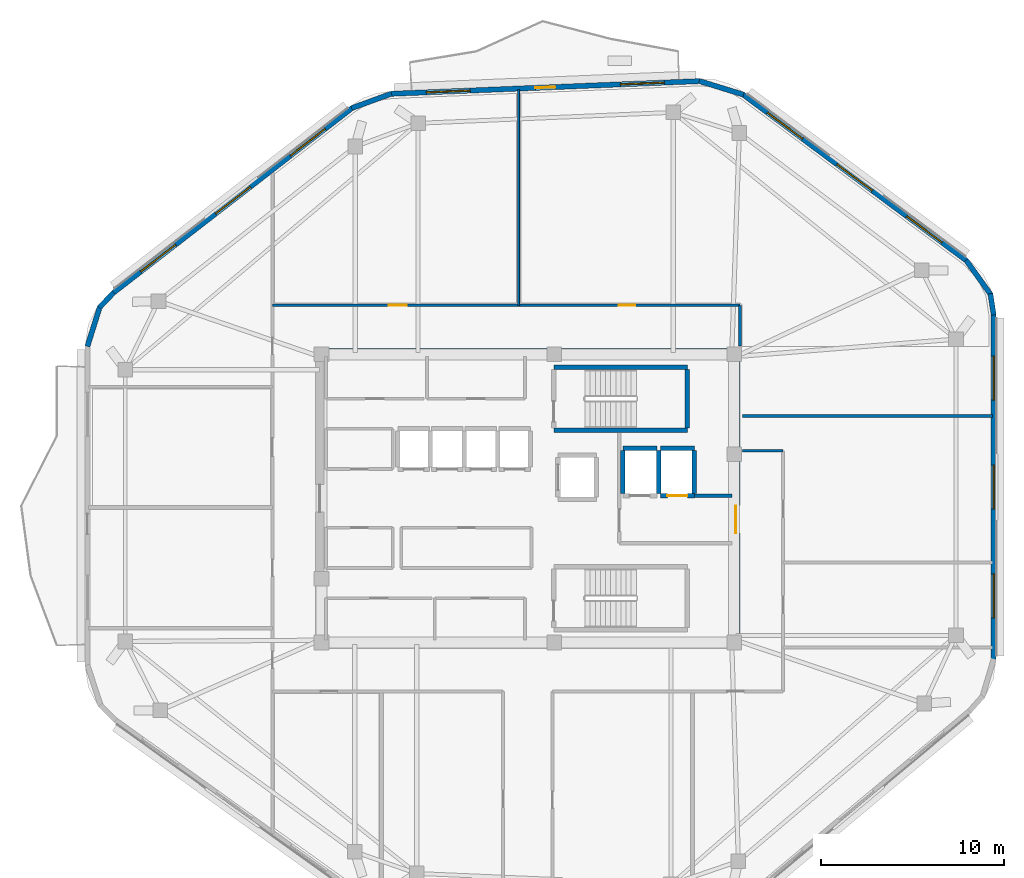
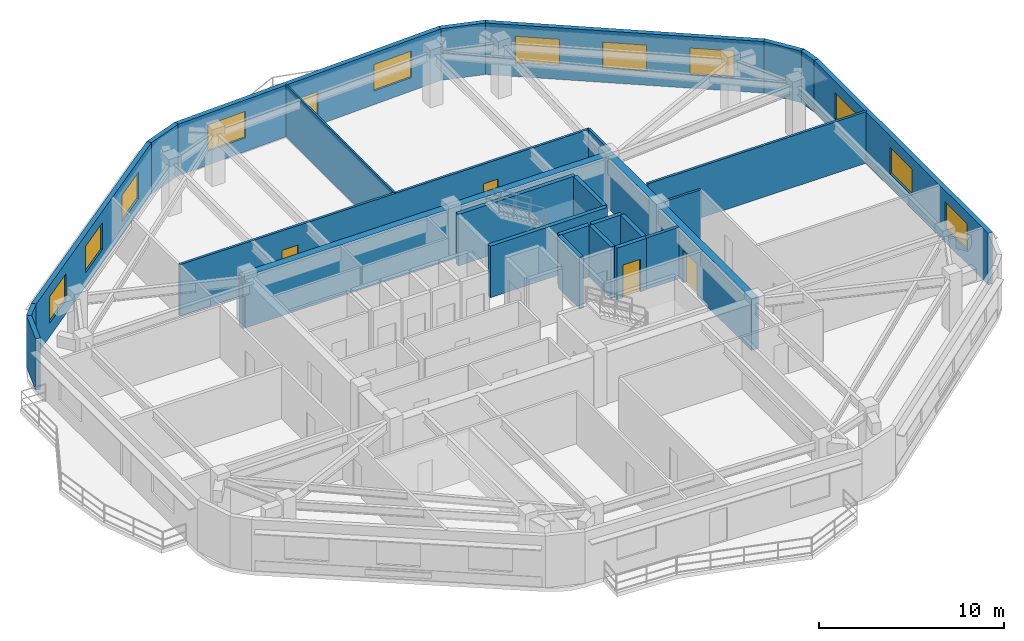
# One storey, part 5 of 9: 27 walls, 11 windows, 5 doors, 16 openings.
"""IFC4 building model written with IfcOpenShell, lengths in metres."""

from ifc_helpers import new_model, si_unit, direction, frame, frame_2d, origin, place, context, subcontext, project, spatial, rectangle, extrude, material, layer, layer_set, type_object, element, fill, save


model = new_model("IFC4")

# Units and contexts
model_context = context("Model", 3, precision=1e-05, world=origin(), true_north=direction((0.0, 1.0)))
body_context = subcontext(model_context, "Body", "Model", "MODEL_VIEW")
ifc_project = project(units=[si_unit("LENGTHUNIT", "METRE"), si_unit("AREAUNIT", "SQUARE_METRE"), si_unit("VOLUMEUNIT", "CUBIC_METRE"), si_unit("PLANEANGLEUNIT", "RADIAN"), si_unit("MASSUNIT", "GRAM", prefix="KILO")], contexts=[model_context])

# Site, building, storey
site_placement = place(None, origin())
site = spatial("IfcSite", under=ifc_project, at=site_placement, CompositionType="ELEMENT")
building_placement = place(site_placement, origin())
building = spatial("IfcBuilding", under=site, at=building_placement, Name="Zulverin Broadcast Headquarters", CompositionType="ELEMENT")
storey_placement = place(building_placement, frame((0.0, 0.0, 304.800048828125)))
storey = spatial("IfcBuildingStorey", under=building, at=storey_placement, Name="L78", CompositionType="ELEMENT", Elevation=304.800048828125)

# Wall
ifc_material_1 = material(Name="Concrete C50/60", Category="concrete")
ifc_layer_1 = layer(ifc_material_1, 0.449951171875, Name="Concrete C50/60", Category="concrete")
ifc_layer_set_1 = layer_set([ifc_layer_1], Name="Concrete C50/60")
wall_type_1 = type_object("IfcWallType", Name="WL-CORE-450", PredefinedType="SHEAR", material=ifc_layer_set_1)
wall_1_placement = place(storey_placement, frame((25.39990234375, 33.175048828125, 0.0), z_axis=(0.0, 0.0, 1.0), x_axis=(1.0, 0.0, 0.0)))
element("IfcWall", 1, at=wall_1_placement, inside=storey, type_object=wall_type_1, Name="L78 Core North Shear Wall", PredefinedType="SHEAR", context=body_context, shape_type="SweptSolid", body=[
    extrude(rectangle(XDim=23.2001953125, YDim=0.449951171875, at=frame_2d((11.60009765625, 0.0))), origin(), (0.0, 0.0, 1.0), 3.39990234375),
])

# Wall, opening, door
wall_2_placement = place(storey_placement, frame((48.375, 17.449951171875, 0.0), z_axis=(0.0, 0.0, 1.0), x_axis=(0.0, 1.0, 0.0)))
wall_2 = element("IfcWall", 2, at=wall_2_placement, inside=storey, type_object=wall_type_1, Name="L78 Core East Shear Wall", PredefinedType="SHEAR", context=body_context, shape_type="SweptSolid", body=[
    extrude(rectangle(XDim=15.5, YDim=0.449951171875, at=frame_2d((7.75, 0.0))), origin(), (0.0, 0.0, 1.0), 3.39990234375),
])
opening_1_placement = place(wall_2_placement, frame((5.85009765625, 0.0, 0.0)))
opening_1 = element("IfcOpeningElement", 3, at=opening_1_placement, cuts=wall_2, Name="Opening D-L78-CE1", PredefinedType="OPENING", context=body_context, shape_type="SweptSolid", body=[
    extrude(rectangle(XDim=1.5, YDim=2.14990234375, at=frame_2d((0.75, 1.074951171875))), frame((0.0, 0.23486328125, 0.0), z_axis=(0.0, -1.0, 0.0), x_axis=(1.0, 0.0, 0.0)), (0.0, 0.0, 1.0), 0.469970703125),
])
ifc_material_2 = material(Name="Fire-rated glazed steel frame", Category="steel")
door_type_1 = type_object("IfcDoorType", Name="DR-COR-1500", OperationType="DOUBLE_DOOR_SINGLE_SWING", PredefinedType="DOOR", material=ifc_material_2)
door_1_placement = place(opening_1_placement, origin())
door_1 = element("IfcDoor", 4, at=door_1_placement, inside=storey, type_object=door_type_1, Name="L78 Firefighting Lobby East Corridor Door", OperationType="DOUBLE_DOOR_SINGLE_SWING", OverallHeight=2.14990234375, OverallWidth=1.5, PredefinedType="DOOR", context=body_context, shape_type="SweptSolid", body=[
    extrude(rectangle(XDim=1.5, YDim=2.14990234375, at=frame_2d((0.75, 1.074951171875))), frame((0.0, 0.02490234375, 0.0), z_axis=(0.0, -1.0, 0.0), x_axis=(1.0, 0.0, 0.0)), (0.0, 0.0, 1.0), 0.050048828125),
])
fill(opening_1, door_1)

# Wall, openings, windows
ifc_material_3 = material(Name="Insulated pale-metal clad concrete spandrel C40/50", Category="concrete")
ifc_layer_2 = layer(ifc_material_3, 0.280029296875, Name="Insulated pale-metal clad concrete spandrel C40/50", Category="concrete")
ifc_layer_set_2 = layer_set([ifc_layer_2], Name="Insulated pale-metal clad concrete spandrel C40/50")
wall_type_2 = type_object("IfcWallType", Name="WL-EXT-280", PredefinedType="STANDARD", material=ifc_layer_set_2)
wall_3_placement = place(storey_placement, frame((62.4599609375, 16.3955078125, 0.0), z_axis=(0.0, 0.0, 1.0), x_axis=(0.0, 1.0, 0.0)))
wall_3 = element("IfcWall", 5, at=wall_3_placement, inside=storey, type_object=wall_type_2, Name="L78 Pale-Metal Clad Spandrel Wall 3", PredefinedType="STANDARD", context=body_context, shape_type="SweptSolid", body=[
    extrude(rectangle(XDim=18.8544921875, YDim=0.280029296875, at=frame_2d((9.42724609375, 0.0))), origin(), (0.0, 0.0, 1.0), 3.39990234375),
])
opening_2_placement = place(wall_3_placement, frame((2.27587890625, 0.0, 0.89990234375)))
opening_2 = element("IfcOpeningElement", 6, at=opening_2_placement, cuts=wall_3, Name="Opening W-L78-E31", PredefinedType="OPENING", context=body_context, shape_type="SweptSolid", body=[
    extrude(rectangle(XDim=2.39990234375, YDim=1.75, at=frame_2d((1.199951171875, 0.875))), frame((0.0, 0.14990234375, 0.0), z_axis=(0.0, -1.0, 0.0), x_axis=(1.0, 0.0, 0.0)), (0.0, 0.0, 1.0), 0.300048828125),
])
opening_3_placement = place(wall_3_placement, frame((8.227294921875, 0.0, 0.89990234375)))
opening_3 = element("IfcOpeningElement", 7, at=opening_3_placement, cuts=wall_3, Name="Opening W-L78-E32", PredefinedType="OPENING", context=body_context, shape_type="SweptSolid", body=[
    extrude(rectangle(XDim=2.39990234375, YDim=1.75, at=frame_2d((1.199951171875, 0.875))), frame((0.0, 0.14990234375, 0.0), z_axis=(0.0, -1.0, 0.0), x_axis=(1.0, 0.0, 0.0)), (0.0, 0.0, 1.0), 0.300048828125),
])
opening_4_placement = place(wall_3_placement, frame((14.1787109375, 0.0, 0.89990234375)))
opening_4 = element("IfcOpeningElement", 8, at=opening_4_placement, cuts=wall_3, Name="Opening W-L78-E33", PredefinedType="OPENING", context=body_context, shape_type="SweptSolid", body=[
    extrude(rectangle(XDim=2.39990234375, YDim=1.75, at=frame_2d((1.199951171875, 0.875))), frame((0.0, 0.14990234375, 0.0), z_axis=(0.0, -1.0, 0.0), x_axis=(1.0, 0.0, 0.0)), (0.0, 0.0, 1.0), 0.300048828125),
])
ifc_material_4 = material(Name="Pale anodized aluminium frame with solar-control low-E double glazing", Category="aluminium")
window_type = type_object("IfcWindowType", Name="WIN-RIB-2400", PartitioningType="SINGLE_PANEL", PredefinedType="WINDOW", material=ifc_material_4)
window_1_placement = place(opening_2_placement, origin())
window_1 = element("IfcWindow", 9, at=window_1_placement, inside=storey, type_object=window_type, Name="L78 Ribbon Glazing Window 3 1", OverallHeight=1.75, OverallWidth=2.39990234375, PartitioningType="SINGLE_PANEL", PredefinedType="WINDOW", context=body_context, shape_type="SweptSolid", body=[
    extrude(rectangle(XDim=2.39990234375, YDim=1.75, at=frame_2d((1.199951171875, 0.875))), frame((0.0, 0.030029296875, 0.0), z_axis=(0.0, -1.0, 0.0), x_axis=(1.0, 0.0, 0.0)), (0.0, 0.0, 1.0), 0.06005859375),
])
fill(opening_2, window_1)
window_2_placement = place(opening_3_placement, origin())
window_2 = element("IfcWindow", 10, at=window_2_placement, inside=storey, type_object=window_type, Name="L78 Ribbon Glazing Window 3 2", OverallHeight=1.75, OverallWidth=2.39990234375, PartitioningType="SINGLE_PANEL", PredefinedType="WINDOW", context=body_context, shape_type="SweptSolid", body=[
    extrude(rectangle(XDim=2.39990234375, YDim=1.75, at=frame_2d((1.199951171875, 0.875))), frame((0.0, 0.030029296875, 0.0), z_axis=(0.0, -1.0, 0.0), x_axis=(1.0, 0.0, 0.0)), (0.0, 0.0, 1.0), 0.06005859375),
])
fill(opening_3, window_2)
window_3_placement = place(opening_4_placement, origin())
window_3 = element("IfcWindow", 11, at=window_3_placement, inside=storey, type_object=window_type, Name="L78 Ribbon Glazing Window 3 3", OverallHeight=1.75, OverallWidth=2.39990234375, PartitioningType="SINGLE_PANEL", PredefinedType="WINDOW", context=body_context, shape_type="SweptSolid", body=[
    extrude(rectangle(XDim=2.39990234375, YDim=1.75, at=frame_2d((1.199951171875, 0.875))), frame((0.0, 0.030029296875, 0.0), z_axis=(0.0, -1.0, 0.0), x_axis=(1.0, 0.0, 0.0)), (0.0, 0.0, 1.0), 0.06005859375),
])
fill(opening_4, window_3)

wall_4_placement = place(storey_placement, frame((60.98388671875, 38.187255859375, 0.0), z_axis=(0.0, 0.0, 1.0), x_axis=(-0.802485144343, 0.596672098484, 0.0)))
wall_4 = element("IfcWall", 12, at=wall_4_placement, inside=storey, type_object=wall_type_2, Name="L78 Pale-Metal Clad Spandrel Wall 4", PredefinedType="STANDARD", context=body_context, shape_type="SweptSolid", body=[
    extrude(rectangle(XDim=15.247802734375, YDim=0.280029296875, at=frame_2d((7.6240234375, 0.0))), origin(), (0.0, 0.0, 1.0), 3.39990234375),
])
opening_5_placement = place(wall_4_placement, frame((1.674560546875, 0.0, 0.89990234375)))
opening_5 = element("IfcOpeningElement", 13, at=opening_5_placement, cuts=wall_4, Name="Opening W-L78-E41", PredefinedType="OPENING", context=body_context, shape_type="SweptSolid", body=[
    extrude(rectangle(XDim=2.39990234375, YDim=1.75, at=frame_2d((1.199951171875, 0.875))), frame((0.0, 0.14990234375, 0.0), z_axis=(0.0, -1.0, 0.0), x_axis=(1.0, 0.0, 0.0)), (0.0, 0.0, 1.0), 0.300048828125),
])
opening_6_placement = place(wall_4_placement, frame((6.423828125, 0.0, 0.89990234375)))
opening_6 = element("IfcOpeningElement", 14, at=opening_6_placement, cuts=wall_4, Name="Opening W-L78-E42", PredefinedType="OPENING", context=body_context, shape_type="SweptSolid", body=[
    extrude(rectangle(XDim=2.39990234375, YDim=1.75, at=frame_2d((1.199951171875, 0.875))), frame((0.0, 0.14990234375, 0.0), z_axis=(0.0, -1.0, 0.0), x_axis=(1.0, 0.0, 0.0)), (0.0, 0.0, 1.0), 0.300048828125),
])
opening_7_placement = place(wall_4_placement, frame((11.173095703125, 0.0, 0.89990234375)))
opening_7 = element("IfcOpeningElement", 15, at=opening_7_placement, cuts=wall_4, Name="Opening W-L78-E43", PredefinedType="OPENING", context=body_context, shape_type="SweptSolid", body=[
    extrude(rectangle(XDim=2.39990234375, YDim=1.75, at=frame_2d((1.199951171875, 0.875))), frame((0.0, 0.14990234375, 0.0), z_axis=(0.0, -1.0, 0.0), x_axis=(1.0, 0.0, 0.0)), (0.0, 0.0, 1.0), 0.300048828125),
])
window_4_placement = place(opening_5_placement, origin())
window_4 = element("IfcWindow", 16, at=window_4_placement, inside=storey, type_object=window_type, Name="L78 Ribbon Glazing Window 4 1", OverallHeight=1.75, OverallWidth=2.39990234375, PartitioningType="SINGLE_PANEL", PredefinedType="WINDOW", context=body_context, shape_type="SweptSolid", body=[
    extrude(rectangle(XDim=2.39990234375, YDim=1.75, at=frame_2d((1.199951171875, 0.875))), frame((0.0, 0.030029296875, 0.0), z_axis=(0.0, -1.0, 0.0), x_axis=(1.0, 0.0, 0.0)), (0.0, 0.0, 1.0), 0.06005859375),
])
fill(opening_5, window_4)
window_5_placement = place(opening_6_placement, origin())
window_5 = element("IfcWindow", 17, at=window_5_placement, inside=storey, type_object=window_type, Name="L78 Ribbon Glazing Window 4 2", OverallHeight=1.75, OverallWidth=2.39990234375, PartitioningType="SINGLE_PANEL", PredefinedType="WINDOW", context=body_context, shape_type="SweptSolid", body=[
    extrude(rectangle(XDim=2.39990234375, YDim=1.75, at=frame_2d((1.199951171875, 0.875))), frame((0.0, 0.030029296875, 0.0), z_axis=(0.0, -1.0, 0.0), x_axis=(1.0, 0.0, 0.0)), (0.0, 0.0, 1.0), 0.06005859375),
])
fill(opening_6, window_5)
window_6_placement = place(opening_7_placement, origin())
window_6 = element("IfcWindow", 18, at=window_6_placement, inside=storey, type_object=window_type, Name="L78 Ribbon Glazing Window 4 3", OverallHeight=1.75, OverallWidth=2.39990234375, PartitioningType="SINGLE_PANEL", PredefinedType="WINDOW", context=body_context, shape_type="SweptSolid", body=[
    extrude(rectangle(XDim=2.39990234375, YDim=1.75, at=frame_2d((1.199951171875, 0.875))), frame((0.0, 0.030029296875, 0.0), z_axis=(0.0, -1.0, 0.0), x_axis=(1.0, 0.0, 0.0)), (0.0, 0.0, 1.0), 0.06005859375),
])
fill(opening_7, window_6)

# Wall, openings, door, windows
wall_5_placement = place(storey_placement, frame((46.413818359375, 48.0048828125, 0.0), z_axis=(0.0, 0.0, 1.0), x_axis=(-0.999156194126, -0.041071885021, 0.0)))
wall_5 = element("IfcWall", 19, at=wall_5_placement, inside=storey, type_object=wall_type_2, Name="L78 Pale-Metal Clad Spandrel Wall 5", PredefinedType="STANDARD", context=body_context, shape_type="SweptSolid", body=[
    extrude(rectangle(XDim=16.923095703125, YDim=0.280029296875, at=frame_2d((8.46142578125, 0.0))), origin(), (0.0, 0.0, 1.0), 3.39990234375),
])
opening_8_placement = place(wall_5_placement, frame((7.91162109375, 0.0, 0.0)))
opening_8 = element("IfcOpeningElement", 20, at=opening_8_placement, cuts=wall_5, Name="Opening D-L78-TR5", PredefinedType="OPENING", context=body_context, shape_type="SweptSolid", body=[
    extrude(rectangle(XDim=1.10009765625, YDim=2.199951171875, at=frame_2d((0.550048828125, 1.10009765625))), frame((0.0, 0.14990234375, 0.0), z_axis=(0.0, -1.0, 0.0), x_axis=(1.0, 0.0, 0.0)), (0.0, 0.0, 1.0), 0.300048828125),
])
opening_9_placement = place(wall_5_placement, frame((1.953857421875, 0.0, 0.89990234375)))
opening_9 = element("IfcOpeningElement", 21, at=opening_9_placement, cuts=wall_5, Name="Opening W-L78-E51", PredefinedType="OPENING", context=body_context, shape_type="SweptSolid", body=[
    extrude(rectangle(XDim=2.39990234375, YDim=1.75, at=frame_2d((1.199951171875, 0.875))), frame((0.0, 0.14990234375, 0.0), z_axis=(0.0, -1.0, 0.0), x_axis=(1.0, 0.0, 0.0)), (0.0, 0.0, 1.0), 0.300048828125),
])
opening_10_placement = place(wall_5_placement, frame((12.569091796875, 0.0, 0.89990234375)))
opening_10 = element("IfcOpeningElement", 22, at=opening_10_placement, cuts=wall_5, Name="Opening W-L78-E52", PredefinedType="OPENING", context=body_context, shape_type="SweptSolid", body=[
    extrude(rectangle(XDim=2.39990234375, YDim=1.75, at=frame_2d((1.199951171875, 0.875))), frame((0.0, 0.14990234375, 0.0), z_axis=(0.0, -1.0, 0.0), x_axis=(1.0, 0.0, 0.0)), (0.0, 0.0, 1.0), 0.300048828125),
])
ifc_material_5 = material(Name="Thermally broken aluminium glazed", Category="aluminium")
door_type_2 = type_object("IfcDoorType", Name="DR-TERR-1100", OperationType="SINGLE_SWING_RIGHT", PredefinedType="DOOR", material=ifc_material_5)
door_2_placement = place(opening_8_placement, origin())
door_2 = element("IfcDoor", 23, at=door_2_placement, inside=storey, type_object=door_type_2, Name="L78 Planted Terrace Glazed Access Door 5", OperationType="SINGLE_SWING_RIGHT", OverallHeight=2.199951171875, OverallWidth=1.10009765625, PredefinedType="DOOR", context=body_context, shape_type="SweptSolid", body=[
    extrude(rectangle(XDim=1.10009765625, YDim=2.199951171875, at=frame_2d((0.550048828125, 1.10009765625))), frame((0.0, 0.02490234375, 0.0), z_axis=(0.0, -1.0, 0.0), x_axis=(1.0, 0.0, 0.0)), (0.0, 0.0, 1.0), 0.050048828125),
])
fill(opening_8, door_2)
window_7_placement = place(opening_9_placement, origin())
window_7 = element("IfcWindow", 24, at=window_7_placement, inside=storey, type_object=window_type, Name="L78 Ribbon Glazing Window 5 1", OverallHeight=1.75, OverallWidth=2.39990234375, PartitioningType="SINGLE_PANEL", PredefinedType="WINDOW", context=body_context, shape_type="SweptSolid", body=[
    extrude(rectangle(XDim=2.39990234375, YDim=1.75, at=frame_2d((1.199951171875, 0.875))), frame((0.0, 0.030029296875, 0.0), z_axis=(0.0, -1.0, 0.0), x_axis=(1.0, 0.0, 0.0)), (0.0, 0.0, 1.0), 0.06005859375),
])
fill(opening_9, window_7)
window_8_placement = place(opening_10_placement, origin())
window_8 = element("IfcWindow", 25, at=window_8_placement, inside=storey, type_object=window_type, Name="L78 Ribbon Glazing Window 5 2", OverallHeight=1.75, OverallWidth=2.39990234375, PartitioningType="SINGLE_PANEL", PredefinedType="WINDOW", context=body_context, shape_type="SweptSolid", body=[
    extrude(rectangle(XDim=2.39990234375, YDim=1.75, at=frame_2d((1.199951171875, 0.875))), frame((0.0, 0.030029296875, 0.0), z_axis=(0.0, -1.0, 0.0), x_axis=(1.0, 0.0, 0.0)), (0.0, 0.0, 1.0), 0.06005859375),
])
fill(opening_10, window_8)

# Wall, openings, windows
wall_6_placement = place(storey_placement, frame((27.4150390625, 46.54736328125, 0.0), z_axis=(0.0, 0.0, 1.0), x_axis=(-0.790789745248, -0.612087884875, 0.0)))
wall_6 = element("IfcWall", 26, at=wall_6_placement, inside=storey, type_object=wall_type_2, Name="L78 Pale-Metal Clad Spandrel Wall 6", PredefinedType="STANDARD", context=body_context, shape_type="SweptSolid", body=[
    extrude(rectangle(XDim=16.509033203125, YDim=0.280029296875, at=frame_2d((8.25439453125, 0.0))), origin(), (0.0, 0.0, 1.0), 3.39990234375),
])
opening_11_placement = place(wall_6_placement, frame((1.885009765625, 0.0, 0.89990234375)))
opening_11 = element("IfcOpeningElement", 27, at=opening_11_placement, cuts=wall_6, Name="Opening W-L78-E61", PredefinedType="OPENING", context=body_context, shape_type="SweptSolid", body=[
    extrude(rectangle(XDim=2.39990234375, YDim=1.75, at=frame_2d((1.199951171875, 0.875))), frame((0.0, 0.14990234375, 0.0), z_axis=(0.0, -1.0, 0.0), x_axis=(1.0, 0.0, 0.0)), (0.0, 0.0, 1.0), 0.300048828125),
])
opening_12_placement = place(wall_6_placement, frame((7.0546875, 0.0, 0.89990234375)))
opening_12 = element("IfcOpeningElement", 28, at=opening_12_placement, cuts=wall_6, Name="Opening W-L78-E62", PredefinedType="OPENING", context=body_context, shape_type="SweptSolid", body=[
    extrude(rectangle(XDim=2.39990234375, YDim=1.75, at=frame_2d((1.199951171875, 0.875))), frame((0.0, 0.14990234375, 0.0), z_axis=(0.0, -1.0, 0.0), x_axis=(1.0, 0.0, 0.0)), (0.0, 0.0, 1.0), 0.300048828125),
])
opening_13_placement = place(wall_6_placement, frame((12.224365234375, 0.0, 0.89990234375)))
opening_13 = element("IfcOpeningElement", 29, at=opening_13_placement, cuts=wall_6, Name="Opening W-L78-E63", PredefinedType="OPENING", context=body_context, shape_type="SweptSolid", body=[
    extrude(rectangle(XDim=2.39990234375, YDim=1.75, at=frame_2d((1.199951171875, 0.875))), frame((0.0, 0.14990234375, 0.0), z_axis=(0.0, -1.0, 0.0), x_axis=(1.0, 0.0, 0.0)), (0.0, 0.0, 1.0), 0.300048828125),
])
window_9_placement = place(opening_11_placement, origin())
window_9 = element("IfcWindow", 30, at=window_9_placement, inside=storey, type_object=window_type, Name="L78 Ribbon Glazing Window 6 1", OverallHeight=1.75, OverallWidth=2.39990234375, PartitioningType="SINGLE_PANEL", PredefinedType="WINDOW", context=body_context, shape_type="SweptSolid", body=[
    extrude(rectangle(XDim=2.39990234375, YDim=1.75, at=frame_2d((1.199951171875, 0.875))), frame((0.0, 0.030029296875, 0.0), z_axis=(0.0, -1.0, 0.0), x_axis=(1.0, 0.0, 0.0)), (0.0, 0.0, 1.0), 0.06005859375),
])
fill(opening_11, window_9)
window_10_placement = place(opening_12_placement, origin())
window_10 = element("IfcWindow", 31, at=window_10_placement, inside=storey, type_object=window_type, Name="L78 Ribbon Glazing Window 6 2", OverallHeight=1.75, OverallWidth=2.39990234375, PartitioningType="SINGLE_PANEL", PredefinedType="WINDOW", context=body_context, shape_type="SweptSolid", body=[
    extrude(rectangle(XDim=2.39990234375, YDim=1.75, at=frame_2d((1.199951171875, 0.875))), frame((0.0, 0.030029296875, 0.0), z_axis=(0.0, -1.0, 0.0), x_axis=(1.0, 0.0, 0.0)), (0.0, 0.0, 1.0), 0.06005859375),
])
fill(opening_12, window_10)
window_11_placement = place(opening_13_placement, origin())
window_11 = element("IfcWindow", 32, at=window_11_placement, inside=storey, type_object=window_type, Name="L78 Ribbon Glazing Window 6 3", OverallHeight=1.75, OverallWidth=2.39990234375, PartitioningType="SINGLE_PANEL", PredefinedType="WINDOW", context=body_context, shape_type="SweptSolid", body=[
    extrude(rectangle(XDim=2.39990234375, YDim=1.75, at=frame_2d((1.199951171875, 0.875))), frame((0.0, 0.030029296875, 0.0), z_axis=(0.0, -1.0, 0.0), x_axis=(1.0, 0.0, 0.0)), (0.0, 0.0, 1.0), 0.06005859375),
])
fill(opening_13, window_11)

# Walls
wall_7_placement = place(storey_placement, frame((62.461669921875, 35.228515625, 0.0), z_axis=(0.0, 0.0, 1.0), x_axis=(-0.15458604025, 0.987979329824, 0.0)))
element("IfcWall", 33, at=wall_7_placement, inside=storey, type_object=wall_type_2, Name="L78 Wind-Shaped Corner Spandrel Wall 3-1", PredefinedType="STANDARD", context=body_context, shape_type="SweptSolid", body=[
    extrude(rectangle(XDim=1.175048828125, YDim=0.280029296875, at=frame_2d((0.58740234375, 0.0))), origin(), (0.0, 0.0, 1.0), 3.39990234375),
])
wall_8_placement = place(storey_placement, frame((62.304443359375, 36.32958984375, 0.0), z_axis=(0.0, 0.0, 1.0), x_axis=(-0.581795068472, 0.81333541562, 0.0)))
element("IfcWall", 34, at=wall_8_placement, inside=storey, type_object=wall_type_2, Name="L78 Wind-Shaped Corner Spandrel Wall 3-2", PredefinedType="STANDARD", context=body_context, shape_type="SweptSolid", body=[
    extrude(rectangle(XDim=2.32177734375, YDim=0.280029296875, at=frame_2d((1.160888671875, 0.0))), origin(), (0.0, 0.0, 1.0), 3.39990234375),
])
wall_9_placement = place(storey_placement, frame((48.7900390625, 47.263671875, 0.0), z_axis=(0.0, 0.0, 1.0), x_axis=(-0.955593560977, 0.294687879322, 0.0)))
element("IfcWall", 35, at=wall_9_placement, inside=storey, type_object=wall_type_2, Name="L78 Wind-Shaped Corner Spandrel Wall 4-1", PredefinedType="STANDARD", context=body_context, shape_type="SweptSolid", body=[
    extrude(rectangle(XDim=2.535888671875, YDim=0.280029296875, at=frame_2d((1.26806640625, 0.0))), origin(), (0.0, 0.0, 1.0), 3.39990234375),
])
wall_10_placement = place(storey_placement, frame((29.547119140625, 47.318359375, 0.0), z_axis=(0.0, 0.0, 1.0), x_axis=(-0.93940703724, -0.342803760748, 0.0)))
element("IfcWall", 36, at=wall_10_placement, inside=storey, type_object=wall_type_2, Name="L78 Wind-Shaped Corner Spandrel Wall 5-1", PredefinedType="STANDARD", context=body_context, shape_type="SweptSolid", body=[
    extrude(rectangle(XDim=2.3095703125, YDim=0.280029296875, at=frame_2d((1.15478515625, 0.0))), origin(), (0.0, 0.0, 1.0), 3.39990234375),
])
wall_11_placement = place(storey_placement, frame((14.37548828125, 36.45654296875, 0.0), z_axis=(0.0, 0.0, 1.0), x_axis=(-0.68895569752, -0.724803453948, 0.0)))
element("IfcWall", 37, at=wall_11_placement, inside=storey, type_object=wall_type_2, Name="L78 Wind-Shaped Corner Spandrel Wall 6-1", PredefinedType="STANDARD", context=body_context, shape_type="SweptSolid", body=[
    extrude(rectangle(XDim=1.15087890625, YDim=0.280029296875, at=frame_2d((0.575439453125, 0.0))), origin(), (0.0, 0.0, 1.0), 3.39990234375),
])
wall_12_placement = place(storey_placement, frame((13.61474609375, 35.677001953125, 0.0), z_axis=(0.0, 0.0, 1.0), x_axis=(-0.299374552426, -0.954135670311, 0.0)))
element("IfcWall", 38, at=wall_12_placement, inside=storey, type_object=wall_type_2, Name="L78 Wind-Shaped Corner Spandrel Wall 6-2", PredefinedType="STANDARD", context=body_context, shape_type="SweptSolid", body=[
    extrude(rectangle(XDim=2.275146484375, YDim=0.280029296875, at=frame_2d((1.1376953125, 0.0))), origin(), (0.0, 0.0, 1.0), 3.39990234375),
])
ifc_material_6 = material(Name="Concrete C40/50", Category="concrete")
ifc_layer_3 = layer(ifc_material_6, 0.199951171875, Name="Concrete C40/50", Category="concrete")
ifc_layer_set_3 = layer_set([ifc_layer_3], Name="Concrete C40/50")
wall_type_3 = type_object("IfcWallType", Name="WL-FFL-200", PredefinedType="SOLIDWALL", material=ifc_layer_set_3)
wall_13_placement = place(storey_placement, frame((46.10009765625, 25.35009765625, 0.0), z_axis=(0.0, 0.0, 1.0), x_axis=(1.0, 0.0, 0.0)))
element("IfcWall", 39, at=wall_13_placement, inside=storey, type_object=wall_type_3, Name="L78 Firefighting Lift Lobby North Wall", PredefinedType="SOLIDWALL", context=body_context, shape_type="SweptSolid", body=[
    extrude(rectangle(XDim=2.0498046875, YDim=0.199951171875, at=frame_2d((1.02490234375, 0.0))), origin(), (0.0, 0.0, 1.0), 3.39990234375),
])
ifc_material_7 = material(Name="Fire-rated acoustic laminated glass screen", Category="glass")
ifc_layer_4 = layer(ifc_material_7, 0.10009765625, Name="Fire-rated acoustic laminated glass screen", Category="glass")
ifc_layer_set_4 = layer_set([ifc_layer_4], Name="Fire-rated acoustic laminated glass screen")
wall_type_4 = type_object("IfcWallType", Name="WL-GLAZ-100", PredefinedType="PARTITIONING", material=ifc_layer_set_4)
wall_14_placement = place(storey_placement, frame((36.5, 35.75, 0.0), z_axis=(0.0, 0.0, 1.0), x_axis=(0.0, 1.0, 0.0)))
element("IfcWall", 40, at=wall_14_placement, inside=storey, type_object=wall_type_4, Name="L78 Room Partition Wall RP-05", PredefinedType="PARTITIONING", context=body_context, shape_type="SweptSolid", body=[
    extrude(rectangle(XDim=11.78271484375, YDim=0.10009765625, at=frame_2d((5.891357421875, 0.0))), origin(), (0.0, 0.0, 1.0), 3.39990234375),
])
ifc_material_8 = material(Name="Fire-rated gypsum stud partition", Category="gypsum")
ifc_layer_5 = layer(ifc_material_8, 0.14990234375, Name="Fire-rated gypsum stud partition", Category="gypsum")
ifc_layer_set_5 = layer_set([ifc_layer_5], Name="Fire-rated gypsum stud partition")
wall_type_5 = type_object("IfcWallType", Name="WL-PART-150", PredefinedType="PARTITIONING", material=ifc_layer_set_5)
for number, where, z_axis, x_axis, name in (
    (41, (48.60009765625, 33.5400390625, 0.0), (0.0, 0.0, 1.0), (0.0, 1.0, 0.0), "L78 Gallery Partition Wall CG-02"),
    (42, (48.739990234375, 27.800048828125, 0.0), (0.0, 0.0, 1.0), (1.0, 0.0, 0.0), "L78 Gallery Partition Wall CG-15"),
):
    element("IfcWall", number, at=place(storey_placement, frame(where, z_axis=z_axis, x_axis=x_axis)), inside=storey, type_object=wall_type_5, Name=name, PredefinedType="PARTITIONING", context=body_context, shape_type="SweptSolid", body=[
        extrude(rectangle(XDim=2.2099609375, YDim=0.14990234375, at=frame_2d((1.10498046875, 0.0))), origin(), (0.0, 0.0, 1.0), 3.39990234375),
    ])
wall_15_placement = place(storey_placement, frame((48.739990234375, 29.699951171875, 0.0), z_axis=(0.0, 0.0, 1.0), x_axis=(1.0, 0.0, 0.0)))
element("IfcWall", 43, at=wall_15_placement, inside=storey, type_object=wall_type_5, Name="L78 Room Partition Wall RP-16", PredefinedType="PARTITIONING", context=body_context, shape_type="SweptSolid", body=[
    extrude(rectangle(XDim=13.655029296875, YDim=0.14990234375, at=frame_2d((6.82763671875, 0.0))), origin(), (0.0, 0.0, 1.0), 3.39990234375),
])

# Wall, openings, doors
wall_16_placement = place(storey_placement, frame((23.050048828125, 35.75, 0.0), z_axis=(0.0, 0.0, 1.0), x_axis=(1.0, 0.0, 0.0)))
wall_16 = element("IfcWall", 44, at=wall_16_placement, inside=storey, type_object=wall_type_5, Name="L78 Gallery Partition Wall CG-18", PredefinedType="PARTITIONING", context=body_context, shape_type="SweptSolid", body=[
    extrude(rectangle(XDim=25.550048828125, YDim=0.14990234375, at=frame_2d((12.77490234375, 0.0))), origin(), (0.0, 0.0, 1.0), 3.39990234375),
])
opening_14_placement = place(wall_16_placement, frame((6.344970703125, 0.0, 0.0)))
opening_14 = element("IfcOpeningElement", 45, at=opening_14_placement, cuts=wall_16, Name="Opening D-L78-01", PredefinedType="OPENING", context=body_context, shape_type="SweptSolid", body=[
    extrude(rectangle(XDim=1.0, YDim=2.1201171875, at=frame_2d((0.5, 1.06005859375))), frame((0.0, 0.0849609375, 0.0), z_axis=(0.0, -1.0, 0.0), x_axis=(1.0, 0.0, 0.0)), (0.0, 0.0, 1.0), 0.169921875),
])
opening_15_placement = place(wall_16_placement, frame((18.929931640625, 0.0, 0.0)))
opening_15 = element("IfcOpeningElement", 46, at=opening_15_placement, cuts=wall_16, Name="Opening D-L78-02", PredefinedType="OPENING", context=body_context, shape_type="SweptSolid", body=[
    extrude(rectangle(XDim=0.89990234375, YDim=2.10009765625, at=frame_2d((0.449951171875, 1.050048828125))), frame((0.0, 0.0849609375, 0.0), z_axis=(0.0, -1.0, 0.0), x_axis=(1.0, 0.0, 0.0)), (0.0, 0.0, 1.0), 0.169921875),
])
ifc_material_9 = material(Name="Hardwood veneer acoustic leaf", Category="wood")
door_type_3 = type_object("IfcDoorType", Name="DR-OFF-1000", OperationType="SINGLE_SWING_LEFT", PredefinedType="DOOR", material=ifc_material_9)
door_3_placement = place(opening_14_placement, origin())
door_3 = element("IfcDoor", 47, at=door_3_placement, inside=storey, type_object=door_type_3, Name="L78 Amenity Management Office Door", OperationType="SINGLE_SWING_RIGHT", OverallHeight=2.1201171875, OverallWidth=1.0, PredefinedType="DOOR", context=body_context, shape_type="SweptSolid", body=[
    extrude(rectangle(XDim=1.0, YDim=2.1201171875, at=frame_2d((0.5, 1.06005859375))), frame((0.0, 0.02490234375, 0.0), z_axis=(0.0, -1.0, 0.0), x_axis=(1.0, 0.0, 0.0)), (0.0, 0.0, 1.0), 0.050048828125),
])
fill(opening_14, door_3)
ifc_material_10 = material(Name="Fire-rated hardwood veneer timber leaf", Category="wood")
door_type_4 = type_object("IfcDoorType", Name="DR-ROOM-900", OperationType="SINGLE_SWING_RIGHT", PredefinedType="DOOR", material=ifc_material_10)
door_4_placement = place(opening_15_placement, origin())
door_4 = element("IfcDoor", 48, at=door_4_placement, inside=storey, type_object=door_type_4, Name="L78 Club Committee Meeting Room Door", OperationType="SINGLE_SWING_LEFT", OverallHeight=2.10009765625, OverallWidth=0.89990234375, PredefinedType="DOOR", context=body_context, shape_type="SweptSolid", body=[
    extrude(rectangle(XDim=0.89990234375, YDim=2.10009765625, at=frame_2d((0.449951171875, 1.050048828125))), frame((0.0, 0.02490234375, 0.0), z_axis=(0.0, -1.0, 0.0), x_axis=(1.0, 0.0, 0.0)), (0.0, 0.0, 1.0), 0.050048828125),
])
fill(opening_15, door_4)

# Walls
ifc_layer_6 = layer(ifc_material_1, 0.25, Name="Concrete C50/60", Category="concrete")
ifc_layer_set_6 = layer_set([ifc_layer_6], Name="Concrete C50/60")
wall_type_6 = type_object("IfcWallType", Name="WL-SHAFT-250", PredefinedType="SHEAR", material=ifc_layer_set_6)
for number, where, z_axis, x_axis, name in (
    (49, (38.425048828125, 28.925048828125, 0.0), (0.0, 0.0, 1.0), (1.0, 0.0, 0.0), "L78 ST-1 Enclosure Wall S"),
    (50, (38.425048828125, 32.375, 0.0), (0.0, 0.0, 1.0), (1.0, 0.0, 0.0), "L78 ST-1 Enclosure Wall N"),
):
    element("IfcWall", number, at=place(storey_placement, frame(where, z_axis=z_axis, x_axis=x_axis)), inside=storey, type_object=wall_type_6, Name=name, PredefinedType="SHEAR", context=body_context, shape_type="SweptSolid", body=[
        extrude(rectangle(XDim=7.300048828125, YDim=0.25, at=frame_2d((3.64990234375, 0.0))), origin(), (0.0, 0.0, 1.0), 3.39990234375),
    ])
wall_17_placement = place(storey_placement, frame((45.72509765625, 29.050048828125, 0.0), z_axis=(0.0, 0.0, 1.0), x_axis=(0.0, 1.0, 0.0)))
element("IfcWall", 51, at=wall_17_placement, inside=storey, type_object=wall_type_6, Name="L78 ST-1 Enclosure Wall E", PredefinedType="SHEAR", context=body_context, shape_type="SweptSolid", body=[
    extrude(rectangle(XDim=3.199951171875, YDim=0.25, at=frame_2d((1.60009765625, 0.0))), origin(), (0.0, 0.0, 1.0), 3.39990234375),
])
wall_18_placement = place(storey_placement, frame((42.199951171875, 27.949951171875, 0.0), z_axis=(0.0, 0.0, 1.0), x_axis=(1.0, 0.0, 0.0)))
element("IfcWall", 52, at=wall_18_placement, inside=storey, type_object=wall_type_6, Name="L78 Lift FFL-1 Shaft Wall N", PredefinedType="SHEAR", context=body_context, shape_type="SweptSolid", body=[
    extrude(rectangle(XDim=1.85009765625, YDim=0.25, at=frame_2d((0.925048828125, 0.0))), origin(), (0.0, 0.0, 1.0), 3.39990234375),
])
for number, where, z_axis, x_axis, name in (
    (53, (42.199951171875, 25.469970703125, 0.0), (0.0, 0.0, 1.0), (0.0, 1.0, 0.0), "L78 Lift FFL-1 Shaft Wall W"),
    (54, (44.14990234375, 25.469970703125, 0.0), (0.0, 0.0, 1.0), (0.0, 1.0, 0.0), "L78 Lift FFL-1 Shaft Wall E"),
):
    element("IfcWall", number, at=place(storey_placement, frame(where, z_axis=z_axis, x_axis=x_axis)), inside=storey, type_object=wall_type_6, Name=name, PredefinedType="SHEAR", context=body_context, shape_type="SweptSolid", body=[
        extrude(rectangle(XDim=2.360107421875, YDim=0.25, at=frame_2d((1.18017578125, 0.0))), origin(), (0.0, 0.0, 1.0), 3.39990234375),
    ])

# Wall, opening, door
wall_19_placement = place(storey_placement, frame((44.25, 25.35009765625, 0.0), z_axis=(0.0, 0.0, 1.0), x_axis=(1.0, 0.0, 0.0)))
wall_19 = element("IfcWall", 55, at=wall_19_placement, inside=storey, type_object=wall_type_6, Name="L78 Lift FFL-2 Shaft Wall S", PredefinedType="SHEAR", context=body_context, shape_type="SweptSolid", body=[
    extrude(rectangle(XDim=1.85009765625, YDim=0.25, at=frame_2d((0.925048828125, 0.0))), origin(), (0.0, 0.0, 1.0), 3.39990234375),
])
opening_16_placement = place(wall_19_placement, frame((0.375, 0.0, 0.0)))
opening_16 = element("IfcOpeningElement", 56, at=opening_16_placement, cuts=wall_19, Name="Opening LD-FFL-2-L78", PredefinedType="OPENING", context=body_context, shape_type="SweptSolid", body=[
    extrude(rectangle(XDim=1.10009765625, YDim=2.14990234375, at=frame_2d((0.550048828125, 1.074951171875))), frame((0.0, 0.135009765625, 0.0), z_axis=(0.0, -1.0, 0.0), x_axis=(1.0, 0.0, 0.0)), (0.0, 0.0, 1.0), 0.27001953125),
])
ifc_material_11 = material(Name="Fire-rated stainless landing door", Category="steel")
door_type_5 = type_object("IfcDoorType", Name="LD-FFL-1100", OperationType="DOUBLE_DOOR_SLIDING", PredefinedType="DOOR", material=ifc_material_11)
door_5_placement = place(opening_16_placement, origin())
door_5 = element("IfcDoor", 57, at=door_5_placement, inside=storey, type_object=door_type_5, Name="L78 Lift FFL-2 Sliding Landing Door", OperationType="DOUBLE_DOOR_SLIDING", OverallHeight=2.14990234375, OverallWidth=1.10009765625, PredefinedType="DOOR", context=body_context, shape_type="SweptSolid", body=[
    extrude(rectangle(XDim=1.10009765625, YDim=2.14990234375, at=frame_2d((0.550048828125, 1.074951171875))), frame((0.0, 0.02490234375, 0.0), z_axis=(0.0, -1.0, 0.0), x_axis=(1.0, 0.0, 0.0)), (0.0, 0.0, 1.0), 0.050048828125),
])
fill(opening_16, door_5)

# Walls
wall_20_placement = place(storey_placement, frame((44.25, 27.949951171875, 0.0), z_axis=(0.0, 0.0, 1.0), x_axis=(1.0, 0.0, 0.0)))
element("IfcWall", 58, at=wall_20_placement, inside=storey, type_object=wall_type_6, Name="L78 Lift FFL-2 Shaft Wall N", PredefinedType="SHEAR", context=body_context, shape_type="SweptSolid", body=[
    extrude(rectangle(XDim=1.85009765625, YDim=0.25, at=frame_2d((0.925048828125, 0.0))), origin(), (0.0, 0.0, 1.0), 3.39990234375),
])
wall_21_placement = place(storey_placement, frame((46.10009765625, 25.469970703125, 0.0), z_axis=(0.0, 0.0, 1.0), x_axis=(0.0, 1.0, 0.0)))
element("IfcWall", 59, at=wall_21_placement, inside=storey, type_object=wall_type_6, Name="L78 Lift FFL-2 Shaft Wall E", PredefinedType="SHEAR", context=body_context, shape_type="SweptSolid", body=[
    extrude(rectangle(XDim=2.360107421875, YDim=0.25, at=frame_2d((1.18017578125, 0.0))), origin(), (0.0, 0.0, 1.0), 3.39990234375),
])

save(model, "model.ifc")
